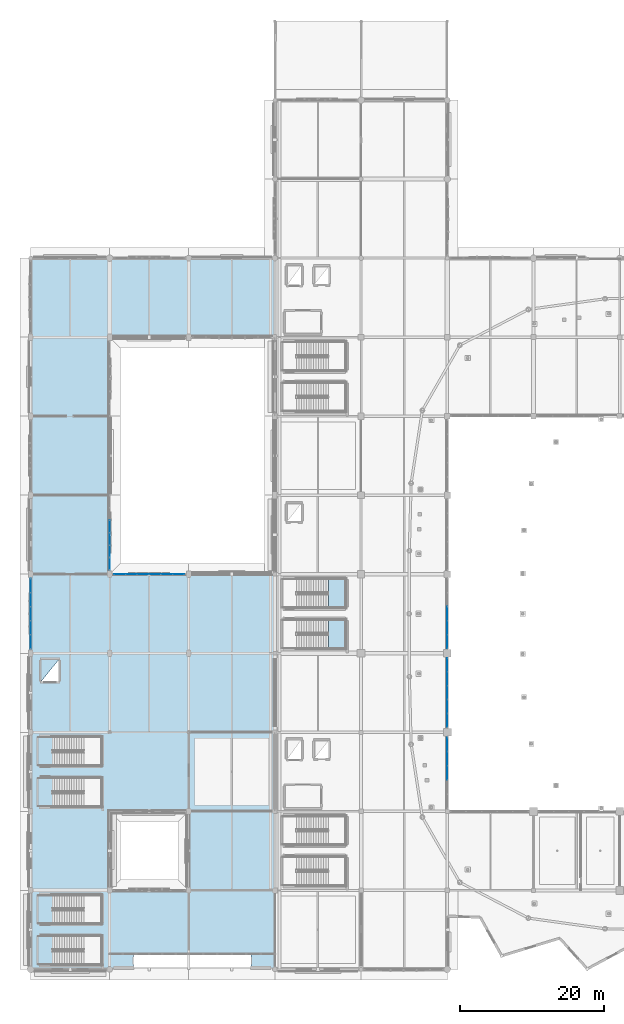
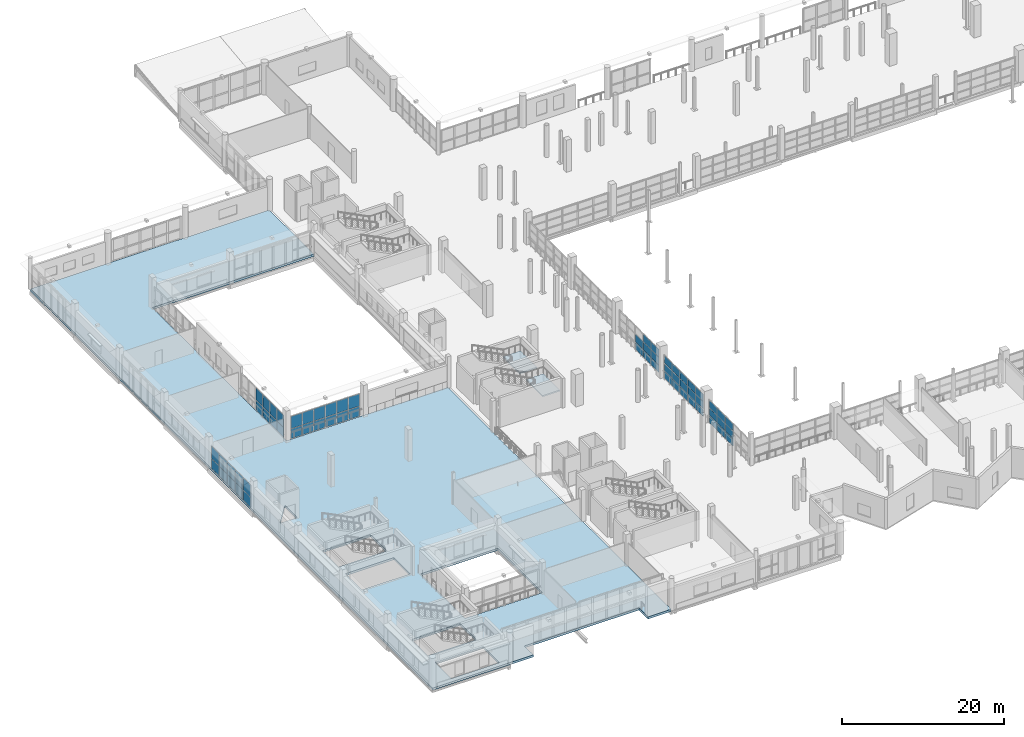
# One storey, part 74 of 143: 62 plates, 3 slabs, 8 elements without a shape of their own.
"""IFC4 building model written with IfcOpenShell, lengths in metres."""

from ifc_helpers import new_model, si_unit, direction, frame, origin, origin_2d, place, context, subcontext, project, spatial, polyline, rectangle, outline, extrude, material, layer, layer_set, type_object, element, aggregate, save


model = new_model("IFC4")

# Units and contexts
model_context = context("Model", 3, precision=1e-05, world=origin(), true_north=direction((0.0, 1.0)))
body_context = subcontext(model_context, "Body", "Model", "MODEL_VIEW")
ifc_project = project(units=[si_unit("LENGTHUNIT", "METRE"), si_unit("AREAUNIT", "SQUARE_METRE"), si_unit("VOLUMEUNIT", "CUBIC_METRE"), si_unit("PLANEANGLEUNIT", "RADIAN"), si_unit("MASSUNIT", "GRAM", prefix="KILO")], contexts=[model_context])

# Site, building, storey
site_placement = place(None, origin())
site = spatial("IfcSite", under=ifc_project, at=site_placement, CompositionType="ELEMENT")
building_placement = place(site_placement, origin())
building = spatial("IfcBuilding", under=site, at=building_placement, Name="Luwafu Chhajja Arena", CompositionType="ELEMENT")
storey_placement = place(building_placement, frame((0.0, 0.0, 5.39990234375)))
storey = spatial("IfcBuildingStorey", under=building, at=storey_placement, Name="L01", CompositionType="ELEMENT", Elevation=5.39990234375)

# Slab
ifc_material_1 = material(Name="Concrete C35/45", Category="concrete")
ifc_layer_1 = layer(ifc_material_1, 0.320068359375, Name="Concrete C35/45")
ifc_layer_set_1 = layer_set([ifc_layer_1], Name="Concrete C35/45")
slab_type_1 = type_object("IfcSlabType", Name="Club Concourse Slab 320", PredefinedType="FLOOR", material=ifc_layer_set_1)
slab_1_placement = place(storey_placement, frame((0.0, 0.0, -0.31982421875)))
element("IfcSlab", 1, at=slab_1_placement, inside=storey, type_object=slab_type_1, Name="L01 Structural Floor Slab 3", PredefinedType="FLOOR", context=body_context, shape_type="SweptSolid", body=[
    extrude(outline(polyline([(30.64990234375, 0.0), (30.64990234375, 2.219970703125), (14.35009765625, 2.219970703125), (14.35009765625, 0.0), (0.0, 0.0), (0.0, 99.0), (33.949951171875, 99.0), (33.949951171875, 88.0), (11.0, 88.0), (11.0, 55.0), (33.949951171875, 55.0), (33.949951171875, 0.0), (30.64990234375, 0.0)]), holes=[polyline([(22.0, 22.0), (11.0, 22.0), (11.0, 11.0), (22.0, 11.0), (22.0, 22.0)]), polyline([(9.89990234375, 0.64990234375), (9.89990234375, 4.64990234375), (3.044921875, 4.64990234375), (3.044921875, 0.64990234375), (9.89990234375, 0.64990234375)]), polyline([(3.044921875, 28.35009765625), (9.89990234375, 28.35009765625), (9.89990234375, 32.35009765625), (3.044921875, 32.35009765625), (3.044921875, 28.35009765625)]), polyline([(9.89990234375, 22.64990234375), (9.89990234375, 26.64990234375), (3.044921875, 26.64990234375), (3.044921875, 22.64990234375), (9.89990234375, 22.64990234375)]), polyline([(3.044921875, 6.35009765625), (9.89990234375, 6.35009765625), (9.89990234375, 10.35009765625), (3.044921875, 10.35009765625), (3.044921875, 6.35009765625)]), polyline([(1.47998046875, 40.080078125), (3.919921875, 40.080078125), (3.919921875, 43.1201171875), (1.47998046875, 40.080078125)])]), origin(), (0.0, 0.0, 1.0), 0.31982421875),
])

# Stair, slab
stair_type = type_object("IfcStairType", Name="Quadrant Protected Dog-Leg Stair 1920", PredefinedType="HALF_TURN_STAIR", material=ifc_material_1)
stair_1_placement = place(storey_placement, origin())
stair_1 = element("IfcStair", 2, at=stair_1_placement, inside=storey, type_object=stair_type, Name="L01 Protected Escape Stair ST-09", PredefinedType="HALF_TURN_STAIR")
ifc_layer_2 = layer(ifc_material_1, 0.199951171875, Name="Concrete C35/45")
ifc_layer_set_2 = layer_set([ifc_layer_2], Name="Concrete C35/45")
slab_type_2 = type_object("IfcSlabType", Name="Escape Stair Landing Slab 200", PredefinedType="LANDING", material=ifc_layer_set_2)
slab_2_placement = place(storey_placement, frame((0.0, 0.0, 2.2001953125)))
slab_2 = element("IfcSlab", 3, at=slab_2_placement, type_object=slab_type_2, Name="ST-09 landing 1", PredefinedType="LANDING", context=body_context, shape_type="SweptSolid", body=[
    extrude(outline(polyline([(41.43994140625, 44.64990234375), (43.89990234375, 44.64990234375), (43.89990234375, 48.68994140625), (41.43994140625, 48.68994140625), (41.43994140625, 44.64990234375)])), origin(), (0.0, 0.0, 1.0), 0.199951171875),
])
aggregate(stair_1, [slab_2])

stair_2_placement = place(storey_placement, origin())
stair_2 = element("IfcStair", 4, at=stair_2_placement, inside=storey, type_object=stair_type, Name="L01 Protected Escape Stair ST-10", PredefinedType="HALF_TURN_STAIR")
slab_3_placement = place(storey_placement, frame((0.0, 0.0, 2.2001953125)))
slab_3 = element("IfcSlab", 5, at=slab_3_placement, type_object=slab_type_2, Name="ST-10 landing 1", PredefinedType="LANDING", context=body_context, shape_type="SweptSolid", body=[
    extrude(outline(polyline([(41.43994140625, 50.31005859375), (43.89990234375, 50.31005859375), (43.89990234375, 54.35009765625), (41.43994140625, 54.35009765625), (41.43994140625, 50.31005859375)])), origin(), (0.0, 0.0, 1.0), 0.199951171875),
])
aggregate(stair_2, [slab_3])

# Curtain wall, plates
ifc_material_2 = material(Name="Anodised bronze aluminium", Category="aluminium")
curtain_wall_type_1 = type_object("IfcCurtainWallType", Name="Bowl Concourse Chord Curtain Wall", PredefinedType="USERDEFINED", material=ifc_material_2)
curtain_wall_1_placement = place(storey_placement, origin())
curtain_wall_1 = element("IfcCurtainWall", 6, at=curtain_wall_1_placement, inside=storey, type_object=curtain_wall_type_1, Name="L01 Curtain Wall CWG-L01-V00_04", ObjectType="CURTAIN WALL", PredefinedType="USERDEFINED")
ifc_material_3 = material(Name="Solar-control laminated glass", Category="glass")
ifc_layer_3 = layer(ifc_material_3, 0.028076171875, Name="Solar-control laminated glass")
ifc_layer_set_3 = layer_set([ifc_layer_3], Name="Solar-control laminated glass")
plate_type = type_object("IfcPlateType", Name="Solar Control Double Glazed CW Panel 28", PredefinedType="CURTAIN_PANEL", material=ifc_layer_set_3)
plate_1_placement = place(storey_placement, frame((0.0, 45.5869140625, 0.09033203125), z_axis=(0.0, 0.0, 1.0), x_axis=(0.0, 1.0, 0.0)))
plate_1 = element("IfcPlate", 7, at=plate_1_placement, type_object=plate_type, Name="CW-01 panel 1.1", PredefinedType="CURTAIN_PANEL", context=body_context, shape_type="SweptSolid", body=[
    extrude(rectangle(XDim=1.8740234375, YDim=0.028076171875, at=origin_2d()), origin(), (0.0, 0.0, 1.0), 1.450439453125),
])
plate_2_placement = place(storey_placement, frame((0.0, 45.5869140625, 1.6005859375), z_axis=(0.0, 0.0, 1.0), x_axis=(0.0, 1.0, 0.0)))
plate_2 = element("IfcPlate", 8, at=plate_2_placement, type_object=plate_type, Name="CW-01 panel 1.2", PredefinedType="CURTAIN_PANEL", context=body_context, shape_type="SweptSolid", body=[
    extrude(rectangle(XDim=1.8740234375, YDim=0.028076171875, at=origin_2d()), origin(), (0.0, 0.0, 1.0), 1.82958984375),
])
plate_3_placement = place(storey_placement, frame((0.0, 47.535888671875, 0.09033203125), z_axis=(0.0, 0.0, 1.0), x_axis=(0.0, 1.0, 0.0)))
plate_3 = element("IfcPlate", 9, at=plate_3_placement, type_object=plate_type, Name="CW-01 panel 2.1", PredefinedType="CURTAIN_PANEL", context=body_context, shape_type="SweptSolid", body=[
    extrude(rectangle(XDim=1.904052734375, YDim=0.028076171875, at=origin_2d()), origin(), (0.0, 0.0, 1.0), 1.450439453125),
])
plate_4_placement = place(storey_placement, frame((0.0, 47.535888671875, 1.6005859375), z_axis=(0.0, 0.0, 1.0), x_axis=(0.0, 1.0, 0.0)))
plate_4 = element("IfcPlate", 10, at=plate_4_placement, type_object=plate_type, Name="CW-01 panel 2.2", PredefinedType="CURTAIN_PANEL", context=body_context, shape_type="SweptSolid", body=[
    extrude(rectangle(XDim=1.904052734375, YDim=0.028076171875, at=origin_2d()), origin(), (0.0, 0.0, 1.0), 1.82958984375),
])
plate_5_placement = place(storey_placement, frame((0.0, 49.5, 0.09033203125), z_axis=(0.0, 0.0, 1.0), x_axis=(0.0, 1.0, 0.0)))
plate_5 = element("IfcPlate", 11, at=plate_5_placement, type_object=plate_type, Name="CW-01 panel 3.1", PredefinedType="CURTAIN_PANEL", context=body_context, shape_type="SweptSolid", body=[
    extrude(rectangle(XDim=1.904052734375, YDim=0.028076171875, at=origin_2d()), origin(), (0.0, 0.0, 1.0), 1.450439453125),
])
plate_6_placement = place(storey_placement, frame((0.0, 49.5, 1.6005859375), z_axis=(0.0, 0.0, 1.0), x_axis=(0.0, 1.0, 0.0)))
plate_6 = element("IfcPlate", 12, at=plate_6_placement, type_object=plate_type, Name="CW-01 panel 3.2", PredefinedType="CURTAIN_PANEL", context=body_context, shape_type="SweptSolid", body=[
    extrude(rectangle(XDim=1.904052734375, YDim=0.028076171875, at=origin_2d()), origin(), (0.0, 0.0, 1.0), 1.82958984375),
])
plate_7_placement = place(storey_placement, frame((0.0, 51.464111328125, 0.09033203125), z_axis=(0.0, 0.0, 1.0), x_axis=(0.0, 1.0, 0.0)))
plate_7 = element("IfcPlate", 13, at=plate_7_placement, type_object=plate_type, Name="CW-01 panel 4.1", PredefinedType="CURTAIN_PANEL", context=body_context, shape_type="SweptSolid", body=[
    extrude(rectangle(XDim=1.904052734375, YDim=0.028076171875, at=origin_2d()), origin(), (0.0, 0.0, 1.0), 1.450439453125),
])
plate_8_placement = place(storey_placement, frame((0.0, 51.464111328125, 1.6005859375), z_axis=(0.0, 0.0, 1.0), x_axis=(0.0, 1.0, 0.0)))
plate_8 = element("IfcPlate", 14, at=plate_8_placement, type_object=plate_type, Name="CW-01 panel 4.2", PredefinedType="CURTAIN_PANEL", context=body_context, shape_type="SweptSolid", body=[
    extrude(rectangle(XDim=1.904052734375, YDim=0.028076171875, at=origin_2d()), origin(), (0.0, 0.0, 1.0), 1.82958984375),
])
plate_9_placement = place(storey_placement, frame((0.0, 53.4130859375, 0.09033203125), z_axis=(0.0, 0.0, 1.0), x_axis=(0.0, 1.0, 0.0)))
plate_9 = element("IfcPlate", 15, at=plate_9_placement, type_object=plate_type, Name="CW-01 panel 5.1", PredefinedType="CURTAIN_PANEL", context=body_context, shape_type="SweptSolid", body=[
    extrude(rectangle(XDim=1.8740234375, YDim=0.028076171875, at=origin_2d()), origin(), (0.0, 0.0, 1.0), 1.450439453125),
])
plate_10_placement = place(storey_placement, frame((0.0, 53.4130859375, 1.6005859375), z_axis=(0.0, 0.0, 1.0), x_axis=(0.0, 1.0, 0.0)))
plate_10 = element("IfcPlate", 16, at=plate_10_placement, type_object=plate_type, Name="CW-01 panel 5.2", PredefinedType="CURTAIN_PANEL", context=body_context, shape_type="SweptSolid", body=[
    extrude(rectangle(XDim=1.8740234375, YDim=0.028076171875, at=origin_2d()), origin(), (0.0, 0.0, 1.0), 1.82958984375),
])
aggregate(curtain_wall_1, [plate_1, plate_2, plate_3, plate_4, plate_5, plate_6, plate_7, plate_8, plate_9, plate_10])

curtain_wall_type_2 = type_object("IfcCurtainWallType", Name="Charbagh Cloister Curtain Wall", PredefinedType="USERDEFINED", material=ifc_material_2)
curtain_wall_2_placement = place(storey_placement, origin())
curtain_wall_2 = element("IfcCurtainWall", 17, at=curtain_wall_2_placement, inside=storey, type_object=curtain_wall_type_2, Name="L01 Curtain Wall CWG-L01-V01_05", ObjectType="CURTAIN WALL", PredefinedType="USERDEFINED")
plate_11_placement = place(storey_placement, frame((11.0, 56.472412109375, 0.09033203125), z_axis=(0.0, 0.0, 1.0), x_axis=(0.0, 1.0, 0.0)))
plate_11 = element("IfcPlate", 18, at=plate_11_placement, type_object=plate_type, Name="CW-06 panel 1.1", PredefinedType="CURTAIN_PANEL", context=body_context, shape_type="SweptSolid", body=[
    extrude(rectangle(XDim=1.64501953125, YDim=0.028076171875, at=origin_2d()), origin(), (0.0, 0.0, 1.0), 1.450439453125),
])
plate_12_placement = place(storey_placement, frame((11.0, 56.472412109375, 1.6005859375), z_axis=(0.0, 0.0, 1.0), x_axis=(0.0, 1.0, 0.0)))
plate_12 = element("IfcPlate", 19, at=plate_12_placement, type_object=plate_type, Name="CW-06 panel 1.2", PredefinedType="CURTAIN_PANEL", context=body_context, shape_type="SweptSolid", body=[
    extrude(rectangle(XDim=1.64501953125, YDim=0.028076171875, at=origin_2d()), origin(), (0.0, 0.0, 1.0), 1.82958984375),
])
plate_13_placement = place(storey_placement, frame((11.0, 58.1923828125, 0.09033203125), z_axis=(0.0, 0.0, 1.0), x_axis=(0.0, 1.0, 0.0)))
plate_13 = element("IfcPlate", 20, at=plate_13_placement, type_object=plate_type, Name="CW-06 panel 2.1", PredefinedType="CURTAIN_PANEL", context=body_context, shape_type="SweptSolid", body=[
    extrude(rectangle(XDim=1.675048828125, YDim=0.028076171875, at=origin_2d()), origin(), (0.0, 0.0, 1.0), 1.450439453125),
])
plate_14_placement = place(storey_placement, frame((11.0, 58.1923828125, 1.6005859375), z_axis=(0.0, 0.0, 1.0), x_axis=(0.0, 1.0, 0.0)))
plate_14 = element("IfcPlate", 21, at=plate_14_placement, type_object=plate_type, Name="CW-06 panel 2.2", PredefinedType="CURTAIN_PANEL", context=body_context, shape_type="SweptSolid", body=[
    extrude(rectangle(XDim=1.675048828125, YDim=0.028076171875, at=origin_2d()), origin(), (0.0, 0.0, 1.0), 1.82958984375),
])
plate_15_placement = place(storey_placement, frame((11.0, 59.927490234375, 0.09033203125), z_axis=(0.0, 0.0, 1.0), x_axis=(0.0, 1.0, 0.0)))
plate_15 = element("IfcPlate", 22, at=plate_15_placement, type_object=plate_type, Name="CW-06 panel 3.1", PredefinedType="CURTAIN_PANEL", context=body_context, shape_type="SweptSolid", body=[
    extrude(rectangle(XDim=1.675048828125, YDim=0.028076171875, at=origin_2d()), origin(), (0.0, 0.0, 1.0), 1.450439453125),
])
plate_16_placement = place(storey_placement, frame((11.0, 59.927490234375, 1.6005859375), z_axis=(0.0, 0.0, 1.0), x_axis=(0.0, 1.0, 0.0)))
plate_16 = element("IfcPlate", 23, at=plate_16_placement, type_object=plate_type, Name="CW-06 panel 3.2", PredefinedType="CURTAIN_PANEL", context=body_context, shape_type="SweptSolid", body=[
    extrude(rectangle(XDim=1.675048828125, YDim=0.028076171875, at=origin_2d()), origin(), (0.0, 0.0, 1.0), 1.82958984375),
])
plate_17_placement = place(storey_placement, frame((11.0, 61.66259765625, 0.09033203125), z_axis=(0.0, 0.0, 1.0), x_axis=(0.0, 1.0, 0.0)))
plate_17 = element("IfcPlate", 24, at=plate_17_placement, type_object=plate_type, Name="CW-06 panel 4.1", PredefinedType="CURTAIN_PANEL", context=body_context, shape_type="SweptSolid", body=[
    extrude(rectangle(XDim=1.675048828125, YDim=0.028076171875, at=origin_2d()), origin(), (0.0, 0.0, 1.0), 1.450439453125),
])
plate_18_placement = place(storey_placement, frame((11.0, 61.66259765625, 1.6005859375), z_axis=(0.0, 0.0, 1.0), x_axis=(0.0, 1.0, 0.0)))
plate_18 = element("IfcPlate", 25, at=plate_18_placement, type_object=plate_type, Name="CW-06 panel 4.2", PredefinedType="CURTAIN_PANEL", context=body_context, shape_type="SweptSolid", body=[
    extrude(rectangle(XDim=1.675048828125, YDim=0.028076171875, at=origin_2d()), origin(), (0.0, 0.0, 1.0), 1.82958984375),
])
aggregate(curtain_wall_2, [plate_11, plate_12, plate_13, plate_14, plate_15, plate_16, plate_17, plate_18])

curtain_wall_3_placement = place(storey_placement, origin())
curtain_wall_3 = element("IfcCurtainWall", 26, at=curtain_wall_3_placement, inside=storey, type_object=curtain_wall_type_2, Name="L01 Curtain Wall CWG-L01-H01_05", ObjectType="CURTAIN WALL", PredefinedType="USERDEFINED")
plate_19_placement = place(storey_placement, frame((12.42333984375, 55.0, 0.09033203125), z_axis=(0.0, 0.0, 1.0), x_axis=(1.0, 0.0, 0.0)))
plate_19 = element("IfcPlate", 27, at=plate_19_placement, type_object=plate_type, Name="CW-06 panel 1.1", PredefinedType="CURTAIN_PANEL", context=body_context, shape_type="SweptSolid", body=[
    extrude(rectangle(XDim=1.546630859375, YDim=0.028076171875, at=origin_2d()), origin(), (0.0, 0.0, 1.0), 1.450439453125),
])
plate_20_placement = place(storey_placement, frame((12.42333984375, 55.0, 1.6005859375), z_axis=(0.0, 0.0, 1.0), x_axis=(1.0, 0.0, 0.0)))
plate_20 = element("IfcPlate", 28, at=plate_20_placement, type_object=plate_type, Name="CW-06 panel 1.2", PredefinedType="CURTAIN_PANEL", context=body_context, shape_type="SweptSolid", body=[
    extrude(rectangle(XDim=1.546630859375, YDim=0.028076171875, at=origin_2d()), origin(), (0.0, 0.0, 1.0), 1.82958984375),
])
plate_21_placement = place(storey_placement, frame((14.044921875, 55.0, 0.09033203125), z_axis=(0.0, 0.0, 1.0), x_axis=(1.0, 0.0, 0.0)))
plate_21 = element("IfcPlate", 29, at=plate_21_placement, type_object=plate_type, Name="CW-06 panel 2.1", PredefinedType="CURTAIN_PANEL", context=body_context, shape_type="SweptSolid", body=[
    extrude(rectangle(XDim=1.57666015625, YDim=0.028076171875, at=origin_2d()), origin(), (0.0, 0.0, 1.0), 1.450439453125),
])
plate_22_placement = place(storey_placement, frame((14.044921875, 55.0, 1.6005859375), z_axis=(0.0, 0.0, 1.0), x_axis=(1.0, 0.0, 0.0)))
plate_22 = element("IfcPlate", 30, at=plate_22_placement, type_object=plate_type, Name="CW-06 panel 2.2", PredefinedType="CURTAIN_PANEL", context=body_context, shape_type="SweptSolid", body=[
    extrude(rectangle(XDim=1.57666015625, YDim=0.028076171875, at=origin_2d()), origin(), (0.0, 0.0, 1.0), 1.82958984375),
])
plate_23_placement = place(storey_placement, frame((15.681640625, 55.0, 0.09033203125), z_axis=(0.0, 0.0, 1.0), x_axis=(1.0, 0.0, 0.0)))
plate_23 = element("IfcPlate", 31, at=plate_23_placement, type_object=plate_type, Name="CW-06 panel 3.1", PredefinedType="CURTAIN_PANEL", context=body_context, shape_type="SweptSolid", body=[
    extrude(rectangle(XDim=1.57666015625, YDim=0.028076171875, at=origin_2d()), origin(), (0.0, 0.0, 1.0), 1.450439453125),
])
plate_24_placement = place(storey_placement, frame((15.681640625, 55.0, 1.6005859375), z_axis=(0.0, 0.0, 1.0), x_axis=(1.0, 0.0, 0.0)))
plate_24 = element("IfcPlate", 32, at=plate_24_placement, type_object=plate_type, Name="CW-06 panel 3.2", PredefinedType="CURTAIN_PANEL", context=body_context, shape_type="SweptSolid", body=[
    extrude(rectangle(XDim=1.57666015625, YDim=0.028076171875, at=origin_2d()), origin(), (0.0, 0.0, 1.0), 1.82958984375),
])
plate_25_placement = place(storey_placement, frame((17.318359375, 55.0, 0.09033203125), z_axis=(0.0, 0.0, 1.0), x_axis=(1.0, 0.0, 0.0)))
plate_25 = element("IfcPlate", 33, at=plate_25_placement, type_object=plate_type, Name="CW-06 panel 4.1", PredefinedType="CURTAIN_PANEL", context=body_context, shape_type="SweptSolid", body=[
    extrude(rectangle(XDim=1.57666015625, YDim=0.028076171875, at=origin_2d()), origin(), (0.0, 0.0, 1.0), 1.450439453125),
])
plate_26_placement = place(storey_placement, frame((17.318359375, 55.0, 1.6005859375), z_axis=(0.0, 0.0, 1.0), x_axis=(1.0, 0.0, 0.0)))
plate_26 = element("IfcPlate", 34, at=plate_26_placement, type_object=plate_type, Name="CW-06 panel 4.2", PredefinedType="CURTAIN_PANEL", context=body_context, shape_type="SweptSolid", body=[
    extrude(rectangle(XDim=1.57666015625, YDim=0.028076171875, at=origin_2d()), origin(), (0.0, 0.0, 1.0), 1.82958984375),
])
plate_27_placement = place(storey_placement, frame((18.955078125, 55.0, 0.09033203125), z_axis=(0.0, 0.0, 1.0), x_axis=(1.0, 0.0, 0.0)))
plate_27 = element("IfcPlate", 35, at=plate_27_placement, type_object=plate_type, Name="CW-06 panel 5.1", PredefinedType="CURTAIN_PANEL", context=body_context, shape_type="SweptSolid", body=[
    extrude(rectangle(XDim=1.57666015625, YDim=0.028076171875, at=origin_2d()), origin(), (0.0, 0.0, 1.0), 1.450439453125),
])
plate_28_placement = place(storey_placement, frame((18.955078125, 55.0, 1.6005859375), z_axis=(0.0, 0.0, 1.0), x_axis=(1.0, 0.0, 0.0)))
plate_28 = element("IfcPlate", 36, at=plate_28_placement, type_object=plate_type, Name="CW-06 panel 5.2", PredefinedType="CURTAIN_PANEL", context=body_context, shape_type="SweptSolid", body=[
    extrude(rectangle(XDim=1.57666015625, YDim=0.028076171875, at=origin_2d()), origin(), (0.0, 0.0, 1.0), 1.82958984375),
])
plate_29_placement = place(storey_placement, frame((20.57666015625, 55.0, 0.09033203125), z_axis=(0.0, 0.0, 1.0), x_axis=(1.0, 0.0, 0.0)))
plate_29 = element("IfcPlate", 37, at=plate_29_placement, type_object=plate_type, Name="CW-06 panel 6.1", PredefinedType="CURTAIN_PANEL", context=body_context, shape_type="SweptSolid", body=[
    extrude(rectangle(XDim=1.546630859375, YDim=0.028076171875, at=origin_2d()), origin(), (0.0, 0.0, 1.0), 1.450439453125),
])
plate_30_placement = place(storey_placement, frame((20.57666015625, 55.0, 1.6005859375), z_axis=(0.0, 0.0, 1.0), x_axis=(1.0, 0.0, 0.0)))
plate_30 = element("IfcPlate", 38, at=plate_30_placement, type_object=plate_type, Name="CW-06 panel 6.2", PredefinedType="CURTAIN_PANEL", context=body_context, shape_type="SweptSolid", body=[
    extrude(rectangle(XDim=1.546630859375, YDim=0.028076171875, at=origin_2d()), origin(), (0.0, 0.0, 1.0), 1.82958984375),
])
aggregate(curtain_wall_3, [plate_19, plate_20, plate_21, plate_22, plate_23, plate_24, plate_25, plate_26, plate_27, plate_28, plate_29, plate_30])

curtain_wall_4_placement = place(storey_placement, origin())
curtain_wall_4 = element("IfcCurtainWall", 39, at=curtain_wall_4_placement, inside=storey, type_object=curtain_wall_type_1, Name="L01 Bowl Viewing Curtain Wall CWR-L01-15", ObjectType="CURTAIN WALL", PredefinedType="USERDEFINED")
plate_31_placement = place(storey_placement, frame((58.0, 27.362548828125, 0.06005859375), z_axis=(0.0, 0.0, 1.0), x_axis=(0.0, 1.0, 0.0)))
plate_31 = element("IfcPlate", 40, at=plate_31_placement, type_object=plate_type, Name="CW-01 panel 3.1", PredefinedType="CURTAIN_PANEL", context=body_context, shape_type="SweptSolid", body=[
    extrude(rectangle(XDim=1.9189453125, YDim=0.028076171875, at=origin_2d()), origin(), (0.0, 0.0, 1.0), 1.06005859375),
])
plate_32_placement = place(storey_placement, frame((58.0, 27.362548828125, 1.18017578125), z_axis=(0.0, 0.0, 1.0), x_axis=(0.0, 1.0, 0.0)))
plate_32 = element("IfcPlate", 41, at=plate_32_placement, type_object=plate_type, Name="CW-01 panel 3.2", PredefinedType="CURTAIN_PANEL", context=body_context, shape_type="SweptSolid", body=[
    extrude(rectangle(XDim=1.9189453125, YDim=0.028076171875, at=origin_2d()), origin(), (0.0, 0.0, 1.0), 1.110107421875),
])
plate_33_placement = place(storey_placement, frame((58.0, 27.362548828125, 2.35009765625), z_axis=(0.0, 0.0, 1.0), x_axis=(0.0, 1.0, 0.0)))
plate_33 = element("IfcPlate", 42, at=plate_33_placement, type_object=plate_type, Name="CW-01 panel 3.3", PredefinedType="CURTAIN_PANEL", context=body_context, shape_type="SweptSolid", body=[
    extrude(rectangle(XDim=1.9189453125, YDim=0.028076171875, at=origin_2d()), origin(), (0.0, 0.0, 1.0), 1.080078125),
])
plate_34_placement = place(storey_placement, frame((58.0, 29.341552734375, 0.06005859375), z_axis=(0.0, 0.0, 1.0), x_axis=(0.0, 1.0, 0.0)))
plate_34 = element("IfcPlate", 43, at=plate_34_placement, type_object=plate_type, Name="CW-01 panel 4.1", PredefinedType="CURTAIN_PANEL", context=body_context, shape_type="SweptSolid", body=[
    extrude(rectangle(XDim=1.9189453125, YDim=0.028076171875, at=origin_2d()), origin(), (0.0, 0.0, 1.0), 1.06005859375),
])
plate_35_placement = place(storey_placement, frame((58.0, 29.341552734375, 1.18017578125), z_axis=(0.0, 0.0, 1.0), x_axis=(0.0, 1.0, 0.0)))
plate_35 = element("IfcPlate", 44, at=plate_35_placement, type_object=plate_type, Name="CW-01 panel 4.2", PredefinedType="CURTAIN_PANEL", context=body_context, shape_type="SweptSolid", body=[
    extrude(rectangle(XDim=1.9189453125, YDim=0.028076171875, at=origin_2d()), origin(), (0.0, 0.0, 1.0), 1.110107421875),
])
plate_36_placement = place(storey_placement, frame((58.0, 29.341552734375, 2.35009765625), z_axis=(0.0, 0.0, 1.0), x_axis=(0.0, 1.0, 0.0)))
plate_36 = element("IfcPlate", 45, at=plate_36_placement, type_object=plate_type, Name="CW-01 panel 4.3", PredefinedType="CURTAIN_PANEL", context=body_context, shape_type="SweptSolid", body=[
    extrude(rectangle(XDim=1.9189453125, YDim=0.028076171875, at=origin_2d()), origin(), (0.0, 0.0, 1.0), 1.080078125),
])
plate_37_placement = place(storey_placement, frame((58.0, 31.305419921875, 0.06005859375), z_axis=(0.0, 0.0, 1.0), x_axis=(0.0, 1.0, 0.0)))
plate_37 = element("IfcPlate", 46, at=plate_37_placement, type_object=plate_type, Name="CW-01 panel 5.1", PredefinedType="CURTAIN_PANEL", context=body_context, shape_type="SweptSolid", body=[
    extrude(rectangle(XDim=1.888916015625, YDim=0.028076171875, at=origin_2d()), origin(), (0.0, 0.0, 1.0), 1.06005859375),
])
plate_38_placement = place(storey_placement, frame((58.0, 31.305419921875, 1.18017578125), z_axis=(0.0, 0.0, 1.0), x_axis=(0.0, 1.0, 0.0)))
plate_38 = element("IfcPlate", 47, at=plate_38_placement, type_object=plate_type, Name="CW-01 panel 5.2", PredefinedType="CURTAIN_PANEL", context=body_context, shape_type="SweptSolid", body=[
    extrude(rectangle(XDim=1.888916015625, YDim=0.028076171875, at=origin_2d()), origin(), (0.0, 0.0, 1.0), 1.110107421875),
])
plate_39_placement = place(storey_placement, frame((58.0, 31.305419921875, 2.35009765625), z_axis=(0.0, 0.0, 1.0), x_axis=(0.0, 1.0, 0.0)))
plate_39 = element("IfcPlate", 48, at=plate_39_placement, type_object=plate_type, Name="CW-01 panel 5.3", PredefinedType="CURTAIN_PANEL", context=body_context, shape_type="SweptSolid", body=[
    extrude(rectangle(XDim=1.888916015625, YDim=0.028076171875, at=origin_2d()), origin(), (0.0, 0.0, 1.0), 1.080078125),
])
aggregate(curtain_wall_4, [plate_31, plate_32, plate_33, plate_34, plate_35, plate_36, plate_37, plate_38, plate_39])

curtain_wall_5_placement = place(storey_placement, origin())
curtain_wall_5 = element("IfcCurtainWall", 49, at=curtain_wall_5_placement, inside=storey, type_object=curtain_wall_type_1, Name="L01 Bowl Viewing Curtain Wall CWR-L01-16", ObjectType="CURTAIN WALL", PredefinedType="USERDEFINED")
plate_40_placement = place(storey_placement, frame((58.0, 34.672119140625, 0.06005859375), z_axis=(0.0, 0.0, 1.0), x_axis=(0.0, 1.0, 0.0)))
plate_40 = element("IfcPlate", 50, at=plate_40_placement, type_object=plate_type, Name="CW-01 panel 1.1", PredefinedType="CURTAIN_PANEL", context=body_context, shape_type="SweptSolid", body=[
    extrude(rectangle(XDim=1.843994140625, YDim=0.028076171875, at=origin_2d()), origin(), (0.0, 0.0, 1.0), 1.06005859375),
])
plate_41_placement = place(storey_placement, frame((58.0, 34.672119140625, 1.18017578125), z_axis=(0.0, 0.0, 1.0), x_axis=(0.0, 1.0, 0.0)))
plate_41 = element("IfcPlate", 51, at=plate_41_placement, type_object=plate_type, Name="CW-01 panel 1.2", PredefinedType="CURTAIN_PANEL", context=body_context, shape_type="SweptSolid", body=[
    extrude(rectangle(XDim=1.843994140625, YDim=0.028076171875, at=origin_2d()), origin(), (0.0, 0.0, 1.0), 1.110107421875),
])
plate_42_placement = place(storey_placement, frame((58.0, 34.672119140625, 2.35009765625), z_axis=(0.0, 0.0, 1.0), x_axis=(0.0, 1.0, 0.0)))
plate_42 = element("IfcPlate", 52, at=plate_42_placement, type_object=plate_type, Name="CW-01 panel 1.3", PredefinedType="CURTAIN_PANEL", context=body_context, shape_type="SweptSolid", body=[
    extrude(rectangle(XDim=1.843994140625, YDim=0.028076171875, at=origin_2d()), origin(), (0.0, 0.0, 1.0), 1.080078125),
])
plate_43_placement = place(storey_placement, frame((58.0, 36.591064453125, 0.06005859375), z_axis=(0.0, 0.0, 1.0), x_axis=(0.0, 1.0, 0.0)))
plate_43 = element("IfcPlate", 53, at=plate_43_placement, type_object=plate_type, Name="CW-01 panel 2.1", PredefinedType="CURTAIN_PANEL", context=body_context, shape_type="SweptSolid", body=[
    extrude(rectangle(XDim=1.8740234375, YDim=0.028076171875, at=origin_2d()), origin(), (0.0, 0.0, 1.0), 1.06005859375),
])
plate_44_placement = place(storey_placement, frame((58.0, 36.591064453125, 1.18017578125), z_axis=(0.0, 0.0, 1.0), x_axis=(0.0, 1.0, 0.0)))
plate_44 = element("IfcPlate", 54, at=plate_44_placement, type_object=plate_type, Name="CW-01 panel 2.2", PredefinedType="CURTAIN_PANEL", context=body_context, shape_type="SweptSolid", body=[
    extrude(rectangle(XDim=1.8740234375, YDim=0.028076171875, at=origin_2d()), origin(), (0.0, 0.0, 1.0), 1.110107421875),
])
plate_45_placement = place(storey_placement, frame((58.0, 36.591064453125, 2.35009765625), z_axis=(0.0, 0.0, 1.0), x_axis=(0.0, 1.0, 0.0)))
plate_45 = element("IfcPlate", 55, at=plate_45_placement, type_object=plate_type, Name="CW-01 panel 2.3", PredefinedType="CURTAIN_PANEL", context=body_context, shape_type="SweptSolid", body=[
    extrude(rectangle(XDim=1.8740234375, YDim=0.028076171875, at=origin_2d()), origin(), (0.0, 0.0, 1.0), 1.080078125),
])
plate_46_placement = place(storey_placement, frame((58.0, 38.52490234375, 0.06005859375), z_axis=(0.0, 0.0, 1.0), x_axis=(0.0, 1.0, 0.0)))
plate_46 = element("IfcPlate", 56, at=plate_46_placement, type_object=plate_type, Name="CW-01 panel 3.1", PredefinedType="CURTAIN_PANEL", context=body_context, shape_type="SweptSolid", body=[
    extrude(rectangle(XDim=1.8740234375, YDim=0.028076171875, at=origin_2d()), origin(), (0.0, 0.0, 1.0), 1.06005859375),
])
plate_47_placement = place(storey_placement, frame((58.0, 38.52490234375, 1.18017578125), z_axis=(0.0, 0.0, 1.0), x_axis=(0.0, 1.0, 0.0)))
plate_47 = element("IfcPlate", 57, at=plate_47_placement, type_object=plate_type, Name="CW-01 panel 3.2", PredefinedType="CURTAIN_PANEL", context=body_context, shape_type="SweptSolid", body=[
    extrude(rectangle(XDim=1.8740234375, YDim=0.028076171875, at=origin_2d()), origin(), (0.0, 0.0, 1.0), 1.110107421875),
])
plate_48_placement = place(storey_placement, frame((58.0, 38.52490234375, 2.35009765625), z_axis=(0.0, 0.0, 1.0), x_axis=(0.0, 1.0, 0.0)))
plate_48 = element("IfcPlate", 58, at=plate_48_placement, type_object=plate_type, Name="CW-01 panel 3.3", PredefinedType="CURTAIN_PANEL", context=body_context, shape_type="SweptSolid", body=[
    extrude(rectangle(XDim=1.8740234375, YDim=0.028076171875, at=origin_2d()), origin(), (0.0, 0.0, 1.0), 1.080078125),
])
plate_49_placement = place(storey_placement, frame((58.0, 40.458984375, 0.06005859375), z_axis=(0.0, 0.0, 1.0), x_axis=(0.0, 1.0, 0.0)))
plate_49 = element("IfcPlate", 59, at=plate_49_placement, type_object=plate_type, Name="CW-01 panel 4.1", PredefinedType="CURTAIN_PANEL", context=body_context, shape_type="SweptSolid", body=[
    extrude(rectangle(XDim=1.8740234375, YDim=0.028076171875, at=origin_2d()), origin(), (0.0, 0.0, 1.0), 1.06005859375),
])
plate_50_placement = place(storey_placement, frame((58.0, 40.458984375, 1.18017578125), z_axis=(0.0, 0.0, 1.0), x_axis=(0.0, 1.0, 0.0)))
plate_50 = element("IfcPlate", 60, at=plate_50_placement, type_object=plate_type, Name="CW-01 panel 4.2", PredefinedType="CURTAIN_PANEL", context=body_context, shape_type="SweptSolid", body=[
    extrude(rectangle(XDim=1.8740234375, YDim=0.028076171875, at=origin_2d()), origin(), (0.0, 0.0, 1.0), 1.110107421875),
])
plate_51_placement = place(storey_placement, frame((58.0, 40.458984375, 2.35009765625), z_axis=(0.0, 0.0, 1.0), x_axis=(0.0, 1.0, 0.0)))
plate_51 = element("IfcPlate", 61, at=plate_51_placement, type_object=plate_type, Name="CW-01 panel 4.3", PredefinedType="CURTAIN_PANEL", context=body_context, shape_type="SweptSolid", body=[
    extrude(rectangle(XDim=1.8740234375, YDim=0.028076171875, at=origin_2d()), origin(), (0.0, 0.0, 1.0), 1.080078125),
])
plate_52_placement = place(storey_placement, frame((58.0, 42.3779296875, 0.06005859375), z_axis=(0.0, 0.0, 1.0), x_axis=(0.0, 1.0, 0.0)))
plate_52 = element("IfcPlate", 62, at=plate_52_placement, type_object=plate_type, Name="CW-01 panel 5.1", PredefinedType="CURTAIN_PANEL", context=body_context, shape_type="SweptSolid", body=[
    extrude(rectangle(XDim=1.843994140625, YDim=0.028076171875, at=origin_2d()), origin(), (0.0, 0.0, 1.0), 1.06005859375),
])
plate_53_placement = place(storey_placement, frame((58.0, 42.3779296875, 1.18017578125), z_axis=(0.0, 0.0, 1.0), x_axis=(0.0, 1.0, 0.0)))
plate_53 = element("IfcPlate", 63, at=plate_53_placement, type_object=plate_type, Name="CW-01 panel 5.2", PredefinedType="CURTAIN_PANEL", context=body_context, shape_type="SweptSolid", body=[
    extrude(rectangle(XDim=1.843994140625, YDim=0.028076171875, at=origin_2d()), origin(), (0.0, 0.0, 1.0), 1.110107421875),
])
plate_54_placement = place(storey_placement, frame((58.0, 42.3779296875, 2.35009765625), z_axis=(0.0, 0.0, 1.0), x_axis=(0.0, 1.0, 0.0)))
plate_54 = element("IfcPlate", 64, at=plate_54_placement, type_object=plate_type, Name="CW-01 panel 5.3", PredefinedType="CURTAIN_PANEL", context=body_context, shape_type="SweptSolid", body=[
    extrude(rectangle(XDim=1.843994140625, YDim=0.028076171875, at=origin_2d()), origin(), (0.0, 0.0, 1.0), 1.080078125),
])
aggregate(curtain_wall_5, [plate_40, plate_41, plate_42, plate_43, plate_44, plate_45, plate_46, plate_47, plate_48, plate_49, plate_50, plate_51, plate_52, plate_53, plate_54])

curtain_wall_6_placement = place(storey_placement, origin())
curtain_wall_6 = element("IfcCurtainWall", 65, at=curtain_wall_6_placement, inside=storey, type_object=curtain_wall_type_1, Name="L01 Bowl Viewing Curtain Wall CWR-L01-17", ObjectType="CURTAIN WALL", PredefinedType="USERDEFINED")
plate_55_placement = place(storey_placement, frame((58.0, 45.62939453125, 0.06005859375), z_axis=(0.0, 0.0, 1.0), x_axis=(0.0, 1.0, 0.0)))
plate_55 = element("IfcPlate", 66, at=plate_55_placement, type_object=plate_type, Name="CW-01 panel 1.1", PredefinedType="CURTAIN_PANEL", context=body_context, shape_type="SweptSolid", body=[
    extrude(rectangle(XDim=1.85888671875, YDim=0.028076171875, at=origin_2d()), origin(), (0.0, 0.0, 1.0), 1.06005859375),
])
plate_56_placement = place(storey_placement, frame((58.0, 45.62939453125, 1.18017578125), z_axis=(0.0, 0.0, 1.0), x_axis=(0.0, 1.0, 0.0)))
plate_56 = element("IfcPlate", 67, at=plate_56_placement, type_object=plate_type, Name="CW-01 panel 1.2", PredefinedType="CURTAIN_PANEL", context=body_context, shape_type="SweptSolid", body=[
    extrude(rectangle(XDim=1.85888671875, YDim=0.028076171875, at=origin_2d()), origin(), (0.0, 0.0, 1.0), 1.159912109375),
])
plate_57_placement = place(storey_placement, frame((58.0, 45.62939453125, 2.400146484375), z_axis=(0.0, 0.0, 1.0), x_axis=(0.0, 1.0, 0.0)))
plate_57 = element("IfcPlate", 68, at=plate_57_placement, type_object=plate_type, Name="CW-01 panel 1.3", PredefinedType="CURTAIN_PANEL", context=body_context, shape_type="SweptSolid", body=[
    extrude(rectangle(XDim=1.85888671875, YDim=0.028076171875, at=origin_2d()), origin(), (0.0, 0.0, 1.0), 1.1298828125),
])
plate_58_placement = place(storey_placement, frame((58.0, 47.5634765625, 0.06005859375), z_axis=(0.0, 0.0, 1.0), x_axis=(0.0, 1.0, 0.0)))
plate_58 = element("IfcPlate", 69, at=plate_58_placement, type_object=plate_type, Name="CW-01 panel 2.1", PredefinedType="CURTAIN_PANEL", context=body_context, shape_type="SweptSolid", body=[
    extrude(rectangle(XDim=1.888916015625, YDim=0.028076171875, at=origin_2d()), origin(), (0.0, 0.0, 1.0), 1.06005859375),
])
plate_59_placement = place(storey_placement, frame((58.0, 47.5634765625, 1.18017578125), z_axis=(0.0, 0.0, 1.0), x_axis=(0.0, 1.0, 0.0)))
plate_59 = element("IfcPlate", 70, at=plate_59_placement, type_object=plate_type, Name="CW-01 panel 2.2", PredefinedType="CURTAIN_PANEL", context=body_context, shape_type="SweptSolid", body=[
    extrude(rectangle(XDim=1.888916015625, YDim=0.028076171875, at=origin_2d()), origin(), (0.0, 0.0, 1.0), 1.159912109375),
])
plate_60_placement = place(storey_placement, frame((58.0, 47.5634765625, 2.400146484375), z_axis=(0.0, 0.0, 1.0), x_axis=(0.0, 1.0, 0.0)))
plate_60 = element("IfcPlate", 71, at=plate_60_placement, type_object=plate_type, Name="CW-01 panel 2.3", PredefinedType="CURTAIN_PANEL", context=body_context, shape_type="SweptSolid", body=[
    extrude(rectangle(XDim=1.888916015625, YDim=0.028076171875, at=origin_2d()), origin(), (0.0, 0.0, 1.0), 1.1298828125),
])
plate_61_placement = place(storey_placement, frame((58.0, 49.512451171875, 0.06005859375), z_axis=(0.0, 0.0, 1.0), x_axis=(0.0, 1.0, 0.0)))
plate_61 = element("IfcPlate", 72, at=plate_61_placement, type_object=plate_type, Name="CW-01 panel 3.1", PredefinedType="CURTAIN_PANEL", context=body_context, shape_type="SweptSolid", body=[
    extrude(rectangle(XDim=1.888916015625, YDim=0.028076171875, at=origin_2d()), origin(), (0.0, 0.0, 1.0), 1.06005859375),
])
plate_62_placement = place(storey_placement, frame((58.0, 49.512451171875, 1.18017578125), z_axis=(0.0, 0.0, 1.0), x_axis=(0.0, 1.0, 0.0)))
plate_62 = element("IfcPlate", 73, at=plate_62_placement, type_object=plate_type, Name="CW-01 panel 3.2", PredefinedType="CURTAIN_PANEL", context=body_context, shape_type="SweptSolid", body=[
    extrude(rectangle(XDim=1.888916015625, YDim=0.028076171875, at=origin_2d()), origin(), (0.0, 0.0, 1.0), 1.159912109375),
])
aggregate(curtain_wall_6, [plate_55, plate_56, plate_57, plate_58, plate_59, plate_60, plate_61, plate_62])

save(model, "model.ifc")
